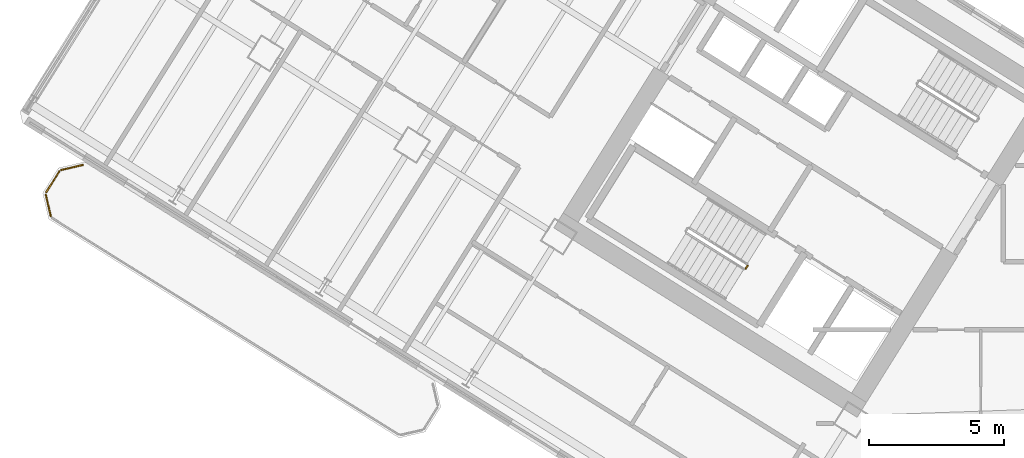
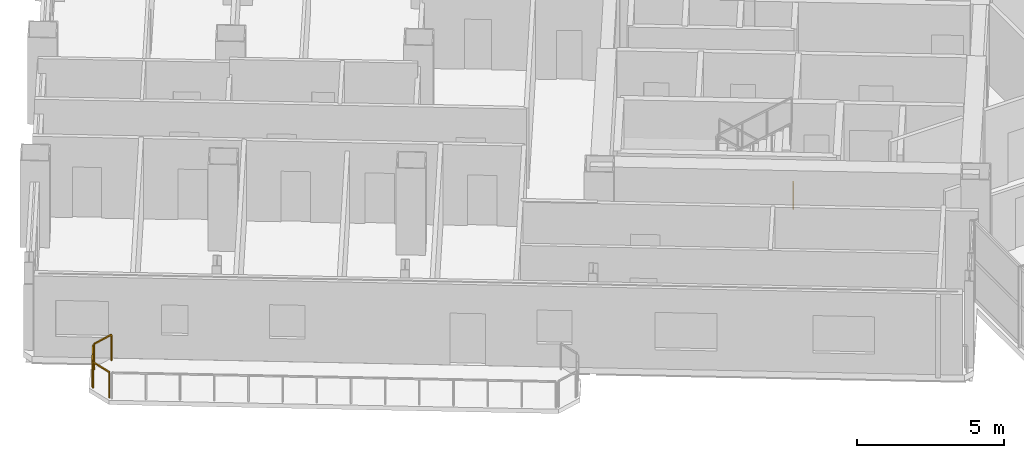
# One storey, part 22 of 28: 4 railings.
"""IFC4 building model written with IfcOpenShell, lengths in metres."""

import ifcopenshell
import ifcopenshell.guid

model = None  # the IFC model being written
_history = None  # IfcOwnerHistory: only IFC2X3 demands one
_inside = {}  # id of a spatial element -> (the spatial element, [elements in it])
_under = {}  # id of a project, library or spatial element -> (it, [spatial elements below it])
_declared = {}  # id of a project -> (the project, [libraries it declares])
_typed = {}  # id of a type object -> (the type object, [elements of that type])
_made_of = {}  # id of a material, layer set ... -> (it, [elements and type objects made of it])


def new_model(schema):
    """Start an empty IFC model of exactly this schema.

    Asked for "IFC4X3", IfcOpenShell would pick the latest addendum, in which some entities
    have other attributes; the version numbers below select the first issue.
    IFC2X3 requires an IfcOwnerHistory on every rooted entity: one is made here for all.
    """
    global model, _history
    if schema == "IFC4X3":
        model = ifcopenshell.file(schema_version=(4, 3, 0, 0))
    else:
        model = ifcopenshell.file(schema=schema)
    _inside.clear()
    _under.clear()
    _declared.clear()
    _typed.clear()
    _made_of.clear()
    _history = None
    if model.schema == "IFC2X3":
        org = make("IfcOrganization", Name="unknown")
        user = make(
            "IfcPersonAndOrganization",
            ThePerson=make("IfcPerson", FamilyName="unknown"),
            TheOrganization=org,
        )
        app = make(
            "IfcApplication",
            ApplicationDeveloper=org,
            Version="unknown",
            ApplicationFullName="unknown",
            ApplicationIdentifier="unknown",
        )
        _history = make(
            "IfcOwnerHistory",
            OwningUser=user,
            OwningApplication=app,
            ChangeAction="ADDED",
            CreationDate=0,
        )
    return model


def make(cls, **values):
    """One entity of the class cls with the attributes given. An attribute that is None is left unset."""
    return model.create_entity(
        cls, **{name: value for name, value in values.items() if value is not None}
    )


def rooted(cls, **values):
    """An entity with a GlobalId (a new one), such as an element, a storey or a relation."""
    return make(cls, GlobalId=ifcopenshell.guid.new(), OwnerHistory=_history, **values)


def si_unit(unit_type, name, prefix=None):
    """IfcSIUnit, for example si_unit("LENGTHUNIT", "METRE", prefix="MILLI")."""
    return make("IfcSIUnit", UnitType=unit_type, Prefix=prefix, Name=name)


def assignment(units):
    """IfcUnitAssignment: the units of a project."""
    return None if units is None else make("IfcUnitAssignment", Units=units)


def point(xyz):
    """IfcCartesianPoint."""
    return None if xyz is None else make("IfcCartesianPoint", Coordinates=xyz)


def direction(xyz):
    """IfcDirection."""
    return None if xyz is None else make("IfcDirection", DirectionRatios=xyz)


def frame(location, z_axis=None, x_axis=None):
    """IfcAxis2Placement3D, a coordinate frame: its origin and axes. An axis left out is left unset."""
    return make(
        "IfcAxis2Placement3D",
        Location=point(location),
        Axis=direction(z_axis),
        RefDirection=direction(x_axis),
    )


def frame_2d(location, x_axis=None):
    """IfcAxis2Placement2D, a coordinate frame in the plane: its origin and x axis."""
    return make(
        "IfcAxis2Placement2D", Location=point(location), RefDirection=direction(x_axis)
    )


def origin():
    """The frame at (0, 0, 0) with its axes left unset."""
    return frame((0.0, 0.0, 0.0))


def origin_2d():
    """The frame at (0, 0) in the plane with its x axis left unset."""
    return frame_2d((0.0, 0.0))


def place(relative_to, where):
    """IfcLocalPlacement: puts the frame where relative to a parent placement (None: the world)."""
    return make(
        "IfcLocalPlacement", PlacementRelTo=relative_to, RelativePlacement=where
    )


def context(
    kind, dimensions, precision=None, world=None, true_north=None, identifier=None
):
    """IfcGeometricRepresentationContext, for example the 3D "Model" context."""
    return make(
        "IfcGeometricRepresentationContext",
        ContextIdentifier=identifier,
        ContextType=kind,
        CoordinateSpaceDimension=dimensions,
        Precision=precision,
        WorldCoordinateSystem=world,
        TrueNorth=true_north,
    )


def subcontext(parent, identifier, kind, view, scale=None):
    """IfcGeometricRepresentationSubContext, for example "Body" below "Model"."""
    return make(
        "IfcGeometricRepresentationSubContext",
        ContextIdentifier=identifier,
        ContextType=kind,
        ParentContext=parent,
        TargetScale=scale,
        TargetView=view,
    )


def project(units=None, contexts=None):
    """IfcProject with its units and contexts."""
    return rooted(
        "IfcProject",
        Name="project",
        RepresentationContexts=contexts,
        UnitsInContext=assignment(units),
    )


def spatial(cls, under=None, at=None, **own):
    """A site, building, storey or space (cls), placed at a placement, below another one or the project."""
    s = rooted(cls, ObjectPlacement=at, **own)
    if under is not None:
        _under.setdefault(under.id(), (under, []))[1].append(s)
    return s


def profile(cls, at=None, kind="AREA", **sizes):
    """A parametric profile (cls). Its sizes go by their IFC names, for example OverallWidth=200.0."""
    return make(cls, ProfileType=kind, Position=at, **sizes)


def rectangle(**sizes):
    """IfcRectangleProfileDef."""
    return profile("IfcRectangleProfileDef", **sizes)


def extrude(swept, where, along, depth):
    """IfcExtrudedAreaSolid: the profile swept, set in the frame where, extruded along a direction by depth."""
    return make(
        "IfcExtrudedAreaSolid",
        SweptArea=swept,
        Position=where,
        ExtrudedDirection=direction(along),
        Depth=depth,
    )


def shape(context_of_items, identifier, shape_type, items):
    """IfcShapeRepresentation: the items that make up one representation, for example the "Body"."""
    return make(
        "IfcShapeRepresentation",
        ContextOfItems=context_of_items,
        RepresentationIdentifier=identifier,
        RepresentationType=shape_type,
        Items=items,
    )


def source(mapping_origin, context_of_items, identifier, shape_type, items):
    """IfcRepresentationMap: a shape defined once, which mapped items show again and again."""
    return make(
        "IfcRepresentationMap",
        MappingOrigin=mapping_origin,
        MappedRepresentation=shape(context_of_items, identifier, shape_type, items),
    )


def transform(
    local_origin,
    x_axis=None,
    y_axis=None,
    z_axis=None,
    scale=None,
    scale2=None,
    scale3=None,
    uniform=True,
):
    """IfcCartesianTransformationOperator3D, or its non-uniform kind. x_axis, y_axis, z_axis: its Axis1, 2, 3."""
    if uniform:
        return make(
            "IfcCartesianTransformationOperator3D",
            Axis1=direction(x_axis),
            Axis2=direction(y_axis),
            LocalOrigin=point(local_origin),
            Scale=scale,
            Axis3=direction(z_axis),
        )
    return make(
        "IfcCartesianTransformationOperator3DnonUniform",
        Axis1=direction(x_axis),
        Axis2=direction(y_axis),
        LocalOrigin=point(local_origin),
        Scale=scale,
        Axis3=direction(z_axis),
        Scale2=scale2,
        Scale3=scale3,
    )


def mapped(mapping_source, mapping_target):
    """IfcMappedItem: shows the shape of a source again, moved by a transform."""
    return make(
        "IfcMappedItem", MappingSource=mapping_source, MappingTarget=mapping_target
    )


def material(Name=None, Category=None):
    """IfcMaterial."""
    return make("IfcMaterial", Name=Name, Category=Category)


def made_of(thing, what):
    """Note that an element or type object is made of a material, layer set ...; save() writes the relation."""
    if what is not None:
        _made_of.setdefault(what.id(), (what, []))[1].append(thing)
    return thing


def type_object(cls, material=None, **own):
    """A type object (cls), such as IfcWallType, which elements share."""
    return made_of(rooted(cls, **own), material)


def element(
    cls,
    number,
    at=None,
    inside=None,
    cuts=None,
    type_object=None,
    material=None,
    context=None,
    identifier="Body",
    shape_type=None,
    held_by="IfcProductDefinitionShape",
    body=None,
    shapes=None,
    **own,
):
    """One element of the class cls, such as IfcWall. Its Tag is "e" and its number.

    at: its placement. inside: the storey or other place that contains it. cuts: it is an
    opening in that element (IfcRelVoidsElement). A single representation is given by context,
    identifier, shape_type and body (its items); several are given by shapes. held_by: the class
    of the entity that holds the representations. save() writes the other relations.
    """
    e = rooted(cls, Tag="e%d" % number, ObjectPlacement=at, **own)
    if body is not None:
        shapes = [shape(context, identifier, shape_type, body)]
    if shapes is not None:
        e.Representation = make(held_by, Representations=shapes)
    if inside is not None:
        _inside.setdefault(inside.id(), (inside, []))[1].append(e)
    if cuts is not None:
        rooted(
            "IfcRelVoidsElement", RelatingBuildingElement=cuts, RelatedOpeningElement=e
        )
    if type_object is not None:
        _typed.setdefault(type_object.id(), (type_object, []))[1].append(e)
    return made_of(e, material)


def aggregate(whole, parts):
    """IfcRelAggregates: a whole, such as a stair, and the parts it consists of."""
    return rooted("IfcRelAggregates", RelatingObject=whole, RelatedObjects=parts)


def save(model, path):
    """Write the relations noted so far, then the file.

    IfcRelAggregates (storeys below a building ...), IfcRelContainedInSpatialStructure (elements
    in a storey), IfcRelDefinesByType, IfcRelAssociatesMaterial and IfcRelDeclares: one each for
    every whole, place, type object, material and project.
    """
    for whole, parts in _under.values():
        aggregate(whole, parts)
    for where, things in _inside.values():
        rooted(
            "IfcRelContainedInSpatialStructure",
            RelatedElements=things,
            RelatingStructure=where,
        )
    for kind, things in _typed.values():
        rooted("IfcRelDefinesByType", RelatedObjects=things, RelatingType=kind)
    for what, things in _made_of.values():
        rooted("IfcRelAssociatesMaterial", RelatedObjects=things, RelatingMaterial=what)
    for by, libraries in _declared.values():
        rooted("IfcRelDeclares", RelatingContext=by, RelatedDefinitions=libraries)
    model.write(path)


model = new_model("IFC4")

# Units and contexts
model_context = context("Model", 3, precision=1e-05, world=origin(), true_north=direction((0.0, 1.0)))
body_context = subcontext(model_context, "Body", "Model", "MODEL_VIEW")
ifc_project = project(units=[si_unit("LENGTHUNIT", "METRE"), si_unit("AREAUNIT", "SQUARE_METRE"), si_unit("VOLUMEUNIT", "CUBIC_METRE"), si_unit("PLANEANGLEUNIT", "RADIAN"), si_unit("MASSUNIT", "GRAM", prefix="KILO")], contexts=[model_context])

# Site, building, storey
site_placement = place(None, origin())
site = spatial("IfcSite", under=ifc_project, at=site_placement, CompositionType="ELEMENT")
building_placement = place(site_placement, origin())
building = spatial("IfcBuilding", under=site, at=building_placement, Name="Tlacorven Tower", CompositionType="ELEMENT")
storey_placement = place(building_placement, frame((0.0, 0.0, 56.39990234375)))
storey = spatial("IfcBuildingStorey", under=building, at=storey_placement, Name="L14", CompositionType="ELEMENT", Elevation=56.39990234375)

# Railings
ifc_material = material(Name="Aluminium and painted steel balustrade", Category="steel")
railing_type_1 = type_object("IfcRailingType", Name="RL-BAL-1100", PredefinedType="BALUSTRADE", material=ifc_material)
shared_shape_1 = source(origin(), body_context, "Body", "SweptSolid", [
    extrude(rectangle(XDim=0.048095703125, YDim=0.048095703125, at=origin_2d()), frame((0.0, 0.0, 1.076171875), z_axis=(-0.225058334816, 0.974345290916, 0.0), x_axis=(-0.974345290916, -0.225058334816, 0.0)), (0.0, 0.0, 1.0), 0.80712890625),
    extrude(rectangle(XDim=0.0419921875, YDim=0.0419921875, at=origin_2d()), origin(), (0.0, 0.0, 1.0), 1.052001953125),
    extrude(rectangle(XDim=0.0419921875, YDim=0.0419921875, at=origin_2d()), frame((-0.181640625, 0.786376953125, 0.0)), (0.0, 0.0, 1.0), 1.052001953125),
])
railing_1_placement = place(storey_placement, frame((3.380859375, 19.62841796875, 0.0)))
element("IfcRailing", 1, at=railing_1_placement, inside=storey, type_object=railing_type_1, Name="BAL-L14-W-OUT Guard Railing 5", PredefinedType="BALUSTRADE", context=body_context, shape_type="MappedRepresentation", body=[
    mapped(shared_shape_1, transform((0.0, 0.0, 0.0), scale=1.0)),
])
shared_shape_2 = source(origin(), body_context, "Body", "SweptSolid", [
    extrude(rectangle(XDim=0.048095703125, YDim=0.048095703125, at=origin_2d()), frame((0.0, 0.0, 1.076171875), z_axis=(0.52987865805, 0.848073468364, 0.0), x_axis=(-0.848073468364, 0.52987865805, 0.0)), (0.0, 0.0, 1.0), 0.912353515625),
    extrude(rectangle(XDim=0.0419921875, YDim=0.0419921875, at=origin_2d()), origin(), (0.0, 0.0, 1.0), 1.052001953125),
    extrude(rectangle(XDim=0.0419921875, YDim=0.0419921875, at=origin_2d()), frame((0.4833984375, 0.773681640625, 0.0)), (0.0, 0.0, 1.0), 1.052001953125),
])
railing_2_placement = place(storey_placement, frame((3.214599609375, 20.505859375, 0.0)))
element("IfcRailing", 2, at=railing_2_placement, inside=storey, type_object=railing_type_1, Name="BAL-L14-W-OUT Guard Railing 6", PredefinedType="BALUSTRADE", context=body_context, shape_type="MappedRepresentation", body=[
    mapped(shared_shape_2, transform((0.0, 0.0, 0.0), scale=1.0)),
])
shared_shape_3 = source(origin(), body_context, "Body", "SweptSolid", [
    extrude(rectangle(XDim=0.048095703125, YDim=0.048095703125, at=origin_2d()), frame((0.0, 0.0, 1.076171875), z_axis=(0.974345290916, 0.225058334816, 0.0), x_axis=(-0.225058334816, 0.974345290916, 0.0)), (0.0, 0.0, 1.0), 0.80712890625),
    extrude(rectangle(XDim=0.0419921875, YDim=0.0419921875, at=origin_2d()), origin(), (0.0, 0.0, 1.0), 1.052001953125),
    extrude(rectangle(XDim=0.0419921875, YDim=0.0419921875, at=origin_2d()), frame((0.786376953125, 0.181640625, 0.0)), (0.0, 0.0, 1.0), 1.052001953125),
])
railing_3_placement = place(storey_placement, frame((3.773193359375, 21.3330078125, 0.0)))
element("IfcRailing", 3, at=railing_3_placement, inside=storey, type_object=railing_type_1, Name="BAL-L14-W-OUT Guard Railing 7", PredefinedType="BALUSTRADE", context=body_context, shape_type="MappedRepresentation", body=[
    mapped(shared_shape_3, transform((0.0, 0.0, 0.0), scale=1.0)),
])
railing_type_2 = type_object("IfcRailingType", Name="RL-GRD-1100", PredefinedType="GUARDRAIL", material=ifc_material)
shared_shape_4 = source(origin(), body_context, "Body", "SweptSolid", [
    extrude(rectangle(XDim=0.048095703125, YDim=0.048095703125, at=origin_2d()), frame((0.0, 0.0, 1.076171875), z_axis=(-0.529084052582, -0.848569422795, 0.0), x_axis=(0.848569422795, -0.529084052582, 0.0)), (0.0, 0.0, 1.0), 0.119873046875),
    extrude(rectangle(XDim=0.0419921875, YDim=0.0419921875, at=origin_2d()), origin(), (0.0, 0.0, 1.0), 1.052001953125),
    extrude(rectangle(XDim=0.0419921875, YDim=0.0419921875, at=origin_2d()), frame((-0.0634765625, -0.101806640625, 0.0)), (0.0, 0.0, 1.0), 1.052001953125),
])
railing_4_placement = place(storey_placement, frame((29.176513671875, 17.782958984375, 0.0)))
element("IfcRailing", 4, at=railing_4_placement, inside=storey, type_object=railing_type_2, Name="L14 ST-W1 stair guard 4", PredefinedType="GUARDRAIL", context=body_context, shape_type="MappedRepresentation", body=[
    mapped(shared_shape_4, transform((0.0, 0.0, 0.0), scale=1.0)),
])

save(model, "model.ifc")
